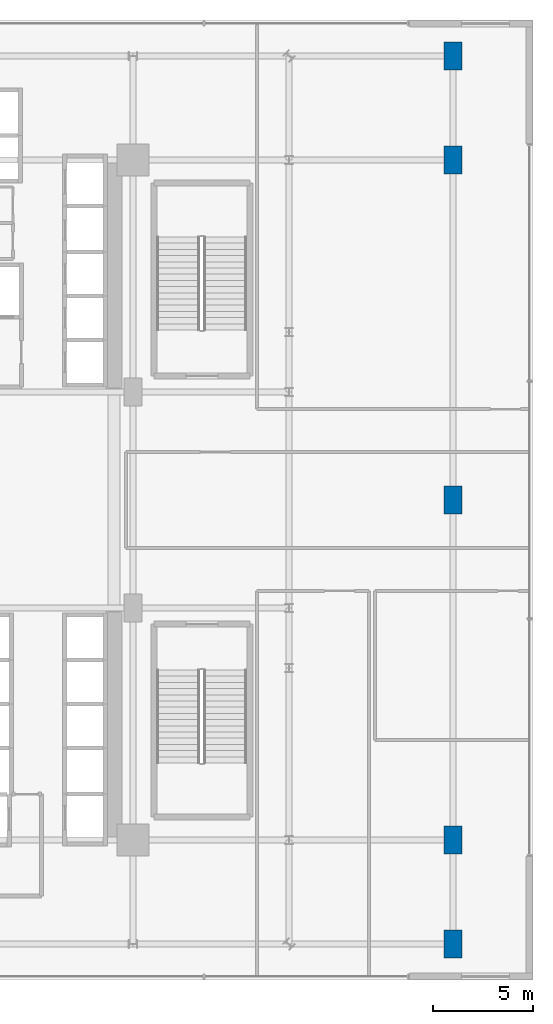
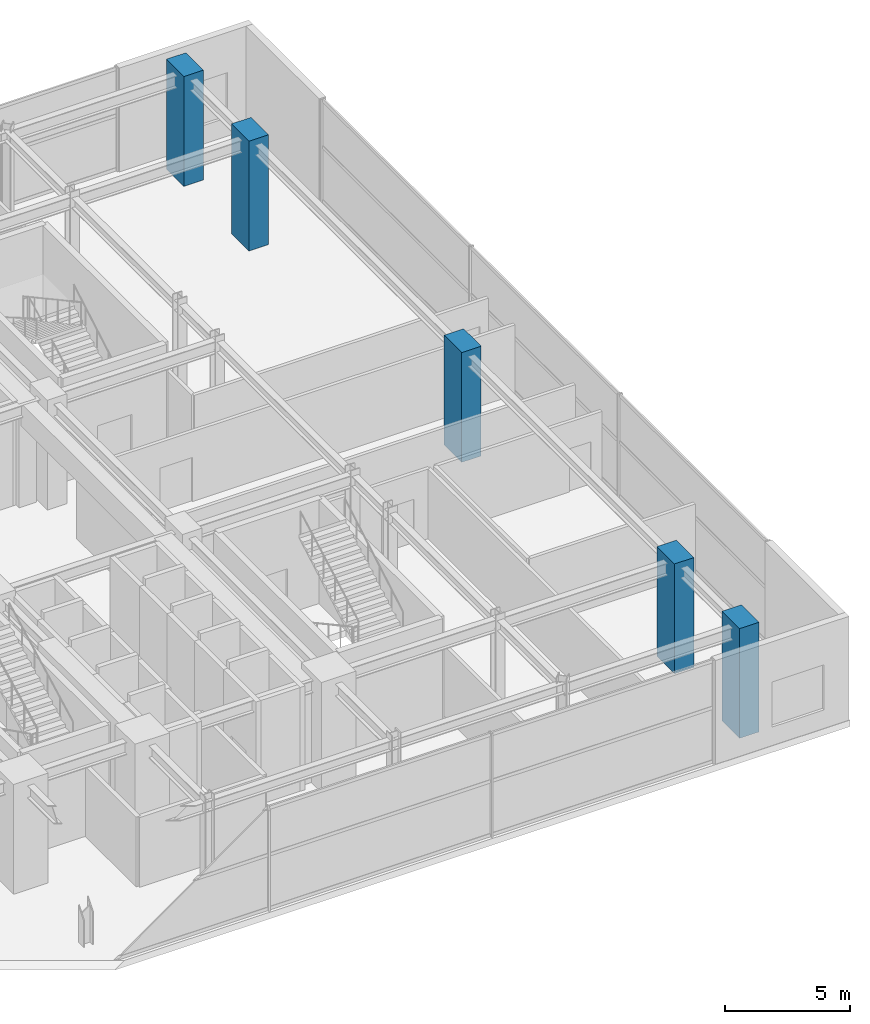
# One storey, part 3 of 32: 5 columns.
"""IFC4 building model written with IfcOpenShell, lengths in metres."""

import ifcopenshell
import ifcopenshell.guid

model = None  # the IFC model being written
_history = None  # IfcOwnerHistory: only IFC2X3 demands one
_inside = {}  # id of a spatial element -> (the spatial element, [elements in it])
_under = {}  # id of a project, library or spatial element -> (it, [spatial elements below it])
_declared = {}  # id of a project -> (the project, [libraries it declares])
_typed = {}  # id of a type object -> (the type object, [elements of that type])
_made_of = {}  # id of a material, layer set ... -> (it, [elements and type objects made of it])


def new_model(schema):
    """Start an empty IFC model of exactly this schema.

    Asked for "IFC4X3", IfcOpenShell would pick the latest addendum, in which some entities
    have other attributes; the version numbers below select the first issue.
    IFC2X3 requires an IfcOwnerHistory on every rooted entity: one is made here for all.
    """
    global model, _history
    if schema == "IFC4X3":
        model = ifcopenshell.file(schema_version=(4, 3, 0, 0))
    else:
        model = ifcopenshell.file(schema=schema)
    _inside.clear()
    _under.clear()
    _declared.clear()
    _typed.clear()
    _made_of.clear()
    _history = None
    if model.schema == "IFC2X3":
        org = make("IfcOrganization", Name="unknown")
        user = make(
            "IfcPersonAndOrganization",
            ThePerson=make("IfcPerson", FamilyName="unknown"),
            TheOrganization=org,
        )
        app = make(
            "IfcApplication",
            ApplicationDeveloper=org,
            Version="unknown",
            ApplicationFullName="unknown",
            ApplicationIdentifier="unknown",
        )
        _history = make(
            "IfcOwnerHistory",
            OwningUser=user,
            OwningApplication=app,
            ChangeAction="ADDED",
            CreationDate=0,
        )
    return model


def make(cls, **values):
    """One entity of the class cls with the attributes given. An attribute that is None is left unset."""
    return model.create_entity(
        cls, **{name: value for name, value in values.items() if value is not None}
    )


def rooted(cls, **values):
    """An entity with a GlobalId (a new one), such as an element, a storey or a relation."""
    return make(cls, GlobalId=ifcopenshell.guid.new(), OwnerHistory=_history, **values)


def si_unit(unit_type, name, prefix=None):
    """IfcSIUnit, for example si_unit("LENGTHUNIT", "METRE", prefix="MILLI")."""
    return make("IfcSIUnit", UnitType=unit_type, Prefix=prefix, Name=name)


def assignment(units):
    """IfcUnitAssignment: the units of a project."""
    return None if units is None else make("IfcUnitAssignment", Units=units)


def point(xyz):
    """IfcCartesianPoint."""
    return None if xyz is None else make("IfcCartesianPoint", Coordinates=xyz)


def direction(xyz):
    """IfcDirection."""
    return None if xyz is None else make("IfcDirection", DirectionRatios=xyz)


def frame(location, z_axis=None, x_axis=None):
    """IfcAxis2Placement3D, a coordinate frame: its origin and axes. An axis left out is left unset."""
    return make(
        "IfcAxis2Placement3D",
        Location=point(location),
        Axis=direction(z_axis),
        RefDirection=direction(x_axis),
    )


def frame_2d(location, x_axis=None):
    """IfcAxis2Placement2D, a coordinate frame in the plane: its origin and x axis."""
    return make(
        "IfcAxis2Placement2D", Location=point(location), RefDirection=direction(x_axis)
    )


def origin():
    """The frame at (0, 0, 0) with its axes left unset."""
    return frame((0.0, 0.0, 0.0))


def origin_2d():
    """The frame at (0, 0) in the plane with its x axis left unset."""
    return frame_2d((0.0, 0.0))


def place(relative_to, where):
    """IfcLocalPlacement: puts the frame where relative to a parent placement (None: the world)."""
    return make(
        "IfcLocalPlacement", PlacementRelTo=relative_to, RelativePlacement=where
    )


def context(
    kind, dimensions, precision=None, world=None, true_north=None, identifier=None
):
    """IfcGeometricRepresentationContext, for example the 3D "Model" context."""
    return make(
        "IfcGeometricRepresentationContext",
        ContextIdentifier=identifier,
        ContextType=kind,
        CoordinateSpaceDimension=dimensions,
        Precision=precision,
        WorldCoordinateSystem=world,
        TrueNorth=true_north,
    )


def subcontext(parent, identifier, kind, view, scale=None):
    """IfcGeometricRepresentationSubContext, for example "Body" below "Model"."""
    return make(
        "IfcGeometricRepresentationSubContext",
        ContextIdentifier=identifier,
        ContextType=kind,
        ParentContext=parent,
        TargetScale=scale,
        TargetView=view,
    )


def project(units=None, contexts=None):
    """IfcProject with its units and contexts."""
    return rooted(
        "IfcProject",
        Name="project",
        RepresentationContexts=contexts,
        UnitsInContext=assignment(units),
    )


def spatial(cls, under=None, at=None, **own):
    """A site, building, storey or space (cls), placed at a placement, below another one or the project."""
    s = rooted(cls, ObjectPlacement=at, **own)
    if under is not None:
        _under.setdefault(under.id(), (under, []))[1].append(s)
    return s


def profile(cls, at=None, kind="AREA", **sizes):
    """A parametric profile (cls). Its sizes go by their IFC names, for example OverallWidth=200.0."""
    return make(cls, ProfileType=kind, Position=at, **sizes)


def rectangle(**sizes):
    """IfcRectangleProfileDef."""
    return profile("IfcRectangleProfileDef", **sizes)


def extrude(swept, where, along, depth):
    """IfcExtrudedAreaSolid: the profile swept, set in the frame where, extruded along a direction by depth."""
    return make(
        "IfcExtrudedAreaSolid",
        SweptArea=swept,
        Position=where,
        ExtrudedDirection=direction(along),
        Depth=depth,
    )


def shape(context_of_items, identifier, shape_type, items):
    """IfcShapeRepresentation: the items that make up one representation, for example the "Body"."""
    return make(
        "IfcShapeRepresentation",
        ContextOfItems=context_of_items,
        RepresentationIdentifier=identifier,
        RepresentationType=shape_type,
        Items=items,
    )


def source(mapping_origin, context_of_items, identifier, shape_type, items):
    """IfcRepresentationMap: a shape defined once, which mapped items show again and again."""
    return make(
        "IfcRepresentationMap",
        MappingOrigin=mapping_origin,
        MappedRepresentation=shape(context_of_items, identifier, shape_type, items),
    )


def transform(
    local_origin,
    x_axis=None,
    y_axis=None,
    z_axis=None,
    scale=None,
    scale2=None,
    scale3=None,
    uniform=True,
):
    """IfcCartesianTransformationOperator3D, or its non-uniform kind. x_axis, y_axis, z_axis: its Axis1, 2, 3."""
    if uniform:
        return make(
            "IfcCartesianTransformationOperator3D",
            Axis1=direction(x_axis),
            Axis2=direction(y_axis),
            LocalOrigin=point(local_origin),
            Scale=scale,
            Axis3=direction(z_axis),
        )
    return make(
        "IfcCartesianTransformationOperator3DnonUniform",
        Axis1=direction(x_axis),
        Axis2=direction(y_axis),
        LocalOrigin=point(local_origin),
        Scale=scale,
        Axis3=direction(z_axis),
        Scale2=scale2,
        Scale3=scale3,
    )


def mapped(mapping_source, mapping_target):
    """IfcMappedItem: shows the shape of a source again, moved by a transform."""
    return make(
        "IfcMappedItem", MappingSource=mapping_source, MappingTarget=mapping_target
    )


def material(Name=None, Category=None):
    """IfcMaterial."""
    return make("IfcMaterial", Name=Name, Category=Category)


def material_profile(
    of_material, cross_section, Name=None, Category=None, Priority=None
):
    """IfcMaterialProfile: a cross section and its material."""
    return make(
        "IfcMaterialProfile",
        Name=Name,
        Material=of_material,
        Profile=cross_section,
        Priority=Priority,
        Category=Category,
    )


def profile_set(profiles, Name=None, composite=None):
    """IfcMaterialProfileSet."""
    return make(
        "IfcMaterialProfileSet",
        Name=Name,
        MaterialProfiles=profiles,
        CompositeProfile=composite,
    )


def made_of(thing, what):
    """Note that an element or type object is made of a material, layer set ...; save() writes the relation."""
    if what is not None:
        _made_of.setdefault(what.id(), (what, []))[1].append(thing)
    return thing


def type_object(cls, material=None, **own):
    """A type object (cls), such as IfcWallType, which elements share."""
    return made_of(rooted(cls, **own), material)


def element(
    cls,
    number,
    at=None,
    inside=None,
    cuts=None,
    type_object=None,
    material=None,
    context=None,
    identifier="Body",
    shape_type=None,
    held_by="IfcProductDefinitionShape",
    body=None,
    shapes=None,
    **own,
):
    """One element of the class cls, such as IfcWall. Its Tag is "e" and its number.

    at: its placement. inside: the storey or other place that contains it. cuts: it is an
    opening in that element (IfcRelVoidsElement). A single representation is given by context,
    identifier, shape_type and body (its items); several are given by shapes. held_by: the class
    of the entity that holds the representations. save() writes the other relations.
    """
    e = rooted(cls, Tag="e%d" % number, ObjectPlacement=at, **own)
    if body is not None:
        shapes = [shape(context, identifier, shape_type, body)]
    if shapes is not None:
        e.Representation = make(held_by, Representations=shapes)
    if inside is not None:
        _inside.setdefault(inside.id(), (inside, []))[1].append(e)
    if cuts is not None:
        rooted(
            "IfcRelVoidsElement", RelatingBuildingElement=cuts, RelatedOpeningElement=e
        )
    if type_object is not None:
        _typed.setdefault(type_object.id(), (type_object, []))[1].append(e)
    return made_of(e, material)


def aggregate(whole, parts):
    """IfcRelAggregates: a whole, such as a stair, and the parts it consists of."""
    return rooted("IfcRelAggregates", RelatingObject=whole, RelatedObjects=parts)


def save(model, path):
    """Write the relations noted so far, then the file.

    IfcRelAggregates (storeys below a building ...), IfcRelContainedInSpatialStructure (elements
    in a storey), IfcRelDefinesByType, IfcRelAssociatesMaterial and IfcRelDeclares: one each for
    every whole, place, type object, material and project.
    """
    for whole, parts in _under.values():
        aggregate(whole, parts)
    for where, things in _inside.values():
        rooted(
            "IfcRelContainedInSpatialStructure",
            RelatedElements=things,
            RelatingStructure=where,
        )
    for kind, things in _typed.values():
        rooted("IfcRelDefinesByType", RelatedObjects=things, RelatingType=kind)
    for what, things in _made_of.values():
        rooted("IfcRelAssociatesMaterial", RelatedObjects=things, RelatingMaterial=what)
    for by, libraries in _declared.values():
        rooted("IfcRelDeclares", RelatingContext=by, RelatedDefinitions=libraries)
    model.write(path)


model = new_model("IFC4")

# Units and contexts
model_context = context("Model", 3, precision=1e-05, world=origin(), true_north=direction((0.0, 1.0)))
body_context = subcontext(model_context, "Body", "Model", "MODEL_VIEW")
ifc_project = project(units=[si_unit("LENGTHUNIT", "METRE"), si_unit("AREAUNIT", "SQUARE_METRE"), si_unit("VOLUMEUNIT", "CUBIC_METRE"), si_unit("PLANEANGLEUNIT", "RADIAN"), si_unit("MASSUNIT", "GRAM", prefix="KILO")], contexts=[model_context])

# Site, building, storey
site_placement = place(None, origin())
site = spatial("IfcSite", under=ifc_project, at=site_placement, CompositionType="ELEMENT")
building_placement = place(site_placement, origin())
building = spatial("IfcBuilding", under=site, at=building_placement, Name="Nahalor Promenade Grand Hotel", CompositionType="ELEMENT")
storey_placement = place(building_placement, frame((0.0, 0.0, 10.800048828125)))
storey = spatial("IfcBuildingStorey", under=building, at=storey_placement, Name="L02", CompositionType="ELEMENT", Elevation=10.800048828125)

# Columns
ifc_material = material(Name="Concrete B-60 (C50/60)", Category="concrete")
ifc_material_profile = material_profile(ifc_material, rectangle(XDim=0.9, YDim=1.4, at=origin_2d()), Name="RC 900x1400")
ifc_profile_set = profile_set([ifc_material_profile], Name="Concrete B-60 (C50/60)")
column_type = type_object("IfcColumnType", Name="Col-Pilaster-1400", PredefinedType="PILASTER", material=ifc_profile_set)
shared_shape = source(origin(), body_context, "Body", "SweptSolid", [
    extrude(rectangle(XDim=0.9, YDim=1.4, at=origin_2d()), origin(), (0.0, 0.0, 1.0), 5.35498046875),
])
for number, where, z_axis, x_axis, name in (
    (1, (33.0, -22.199951171875, 0.0), (0.0, 0.0, 1.0), (1.0, 0.0, 0.0), "COL-L02-PC-E0"),
    (2, (33.0, -17.0, 0.0), (0.0, 0.0, 1.0), (1.0, 0.0, 0.0), "COL-L02-PC-E1"),
    (3, (33.0, 0.0, 0.0), (0.0, 0.0, 1.0), (1.0, 0.0, 0.0), "COL-L02-PC-E2"),
    (4, (33.0, 17.0, 0.0), (0.0, 0.0, 1.0), (1.0, 0.0, 0.0), "COL-L02-PC-E3"),
    (5, (33.0, 22.199951171875, 0.0), (0.0, 0.0, 1.0), (1.0, 0.0, 0.0), "COL-L02-PC-E4"),
):
    element("IfcColumn", number, at=place(storey_placement, frame(where, z_axis=z_axis, x_axis=x_axis)), inside=storey, type_object=column_type, Name=name, PredefinedType="PILASTER", context=body_context, shape_type="MappedRepresentation", body=[
        mapped(shared_shape, transform((0.0, 0.0, 0.0), scale=1.0)),
    ])

save(model, "model.ifc")
